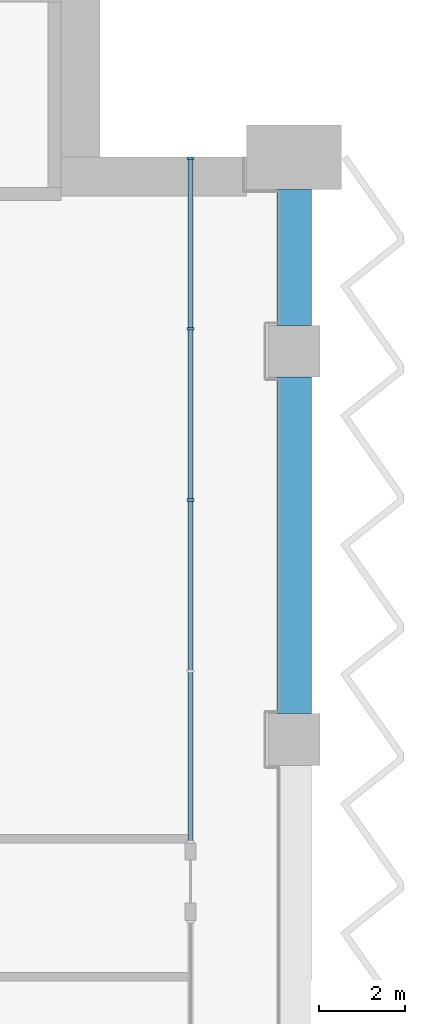
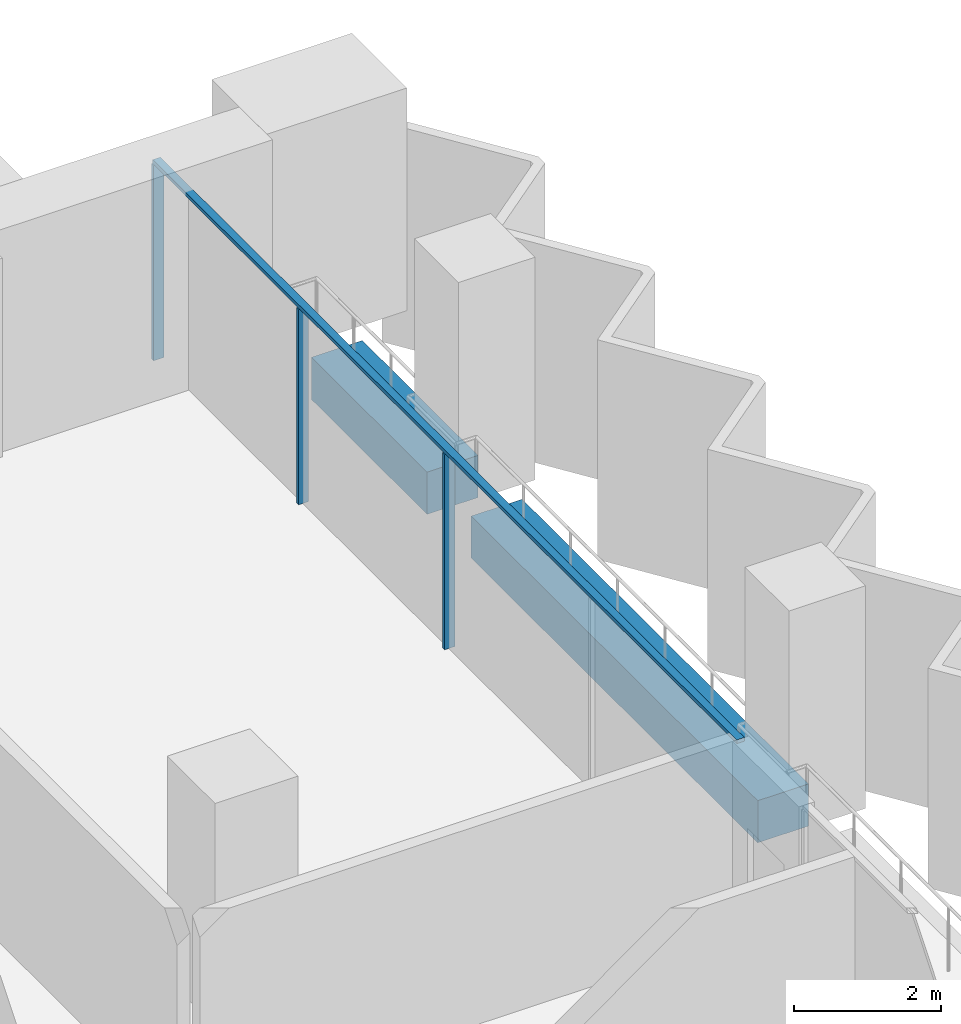
# One storey, part 6 of 23: 4 members, 2 beams, 1 element without a shape of its own.
"""IFC4 building model written with IfcOpenShell, lengths in metres."""

from ifc_helpers import new_model, si_unit, direction, frame, origin, origin_2d, place, context, subcontext, project, spatial, rectangle, extrude, material, material_profile, profile_set, type_object, element, aggregate, save


model = new_model("IFC4")

# Units and contexts
model_context = context("Model", 3, precision=1e-05, world=origin(), true_north=direction((0.0, 1.0)))
body_context = subcontext(model_context, "Body", "Model", "MODEL_VIEW")
ifc_project = project(units=[si_unit("LENGTHUNIT", "METRE"), si_unit("AREAUNIT", "SQUARE_METRE"), si_unit("VOLUMEUNIT", "CUBIC_METRE"), si_unit("PLANEANGLEUNIT", "RADIAN"), si_unit("MASSUNIT", "GRAM", prefix="KILO")], contexts=[model_context])

# Site, building, storey
site_placement = place(None, origin())
site = spatial("IfcSite", under=ifc_project, at=site_placement, CompositionType="ELEMENT")
building_placement = place(site_placement, origin())
building = spatial("IfcBuilding", under=site, at=building_placement, Name="Hunhe Ridgeline Campus", CompositionType="ELEMENT")
storey_placement = place(building_placement, frame((0.0, 0.0, 99.60009765625)))
storey = spatial("IfcBuildingStorey", under=building, at=storey_placement, Name="L24", CompositionType="ELEMENT", Elevation=99.60009765625)

# Curtain wall, members
ifc_material_1 = material(Name="Aluminium 6063", Category="aluminium")
curtain_wall_type = type_object("IfcCurtainWallType", Name="Curtain wall CW-1", PredefinedType="NOTDEFINED", material=ifc_material_1)
curtain_wall_placement = place(storey_placement, origin())
curtain_wall = element("IfcCurtainWall", 1, at=curtain_wall_placement, inside=storey, type_object=curtain_wall_type, Name="Curtain wall 15", PredefinedType="NOTDEFINED")
ifc_material_profile_1 = material_profile(ifc_material_1, rectangle(XDim=0.159912109375, YDim=0.06005859375, at=origin_2d()))
ifc_profile_set_1 = profile_set([ifc_material_profile_1], Name="Aluminium 6063")
member_type_1 = type_object("IfcMemberType", Name="CW-1 aluminium mullion", PredefinedType="MULLION", material=ifc_profile_set_1)
member_1_placement = place(storey_placement, frame((78.59912109375, 86.55029296875, 0.0), z_axis=(0.0, 0.0, 1.0), x_axis=(-1.0, 0.0, 0.0)))
member_1 = element("IfcMember", 2, at=member_1_placement, type_object=member_type_1, Name="CW-1 mullion 3", PredefinedType="MULLION", context=body_context, shape_type="SweptSolid", body=[
    extrude(rectangle(XDim=0.159912109375, YDim=0.06005859375, at=origin_2d()), origin(), (0.0, 0.0, 1.0), 3.239990234375),
])
member_2_placement = place(storey_placement, frame((78.59912109375, 90.525146484375, 0.0), z_axis=(0.0, 0.0, 1.0), x_axis=(-1.0, 0.0, 0.0)))
member_2 = element("IfcMember", 3, at=member_2_placement, type_object=member_type_1, Name="CW-1 mullion 4", PredefinedType="MULLION", context=body_context, shape_type="SweptSolid", body=[
    extrude(rectangle(XDim=0.159912109375, YDim=0.06005859375, at=origin_2d()), origin(), (0.0, 0.0, 1.0), 3.239990234375),
])
member_3_placement = place(storey_placement, frame((78.59912109375, 94.469970703125, 0.0), z_axis=(0.0, 0.0, 1.0), x_axis=(-1.0, 0.0, 0.0)))
member_3 = element("IfcMember", 4, at=member_3_placement, type_object=member_type_1, Name="CW-1 mullion 5", PredefinedType="MULLION", context=body_context, shape_type="SweptSolid", body=[
    extrude(rectangle(XDim=0.159912109375, YDim=0.06005859375, at=origin_2d()), origin(), (0.0, 0.0, 1.0), 3.239990234375),
])
ifc_material_profile_2 = material_profile(ifc_material_1, rectangle(XDim=0.1201171875, YDim=0.06005859375, at=origin_2d()))
ifc_profile_set_2 = profile_set([ifc_material_profile_2], Name="Aluminium 6063")
member_type_2 = type_object("IfcMemberType", Name="CW-1 aluminium transom", PredefinedType="USERDEFINED", material=ifc_profile_set_2)
member_4_placement = place(storey_placement, frame((78.59912109375, 78.6005859375, 3.27001953125), z_axis=(0.0, 1.0, 0.0), x_axis=(-1.0, 0.0, 0.0)))
member_4 = element("IfcMember", 5, at=member_4_placement, type_object=member_type_2, Name="CW-1 transom 1", ObjectType="TRANSOM", PredefinedType="USERDEFINED", context=body_context, shape_type="SweptSolid", body=[
    extrude(rectangle(XDim=0.1201171875, YDim=0.06005859375, at=origin_2d()), origin(), (0.0, 0.0, 1.0), 15.8994140625),
])
aggregate(curtain_wall, [member_4, member_1, member_2, member_3])

# Beams
ifc_material_2 = material(Name="Concrete C60", Category="concrete")
ifc_material_profile_3 = material_profile(ifc_material_2, rectangle(XDim=0.800048828125, YDim=0.699951171875, at=origin_2d()))
ifc_profile_set_3 = profile_set([ifc_material_profile_3], Name="Concrete C60")
beam_type = type_object("IfcBeamType", Name="RC spandrel beam 800x700 Concrete C60", PredefinedType="SPANDREL", material=ifc_profile_set_3)
beam_1_placement = place(storey_placement, frame((81.0, 81.60009765625, -0.60009765625), z_axis=(0.0, 1.0, 0.0), x_axis=(-1.0, 0.0, 0.0)))
element("IfcBeam", 6, at=beam_1_placement, inside=storey, type_object=beam_type, Name="Spandrel beam B1-21 L24", PredefinedType="SPANDREL", context=body_context, shape_type="SweptSolid", body=[
    extrude(rectangle(XDim=0.800048828125, YDim=0.699951171875, at=origin_2d()), origin(), (0.0, 0.0, 1.0), 7.7998046875),
])
beam_2_placement = place(storey_placement, frame((81.0, 90.60009765625, -0.60009765625), z_axis=(0.0, 1.0, 0.0), x_axis=(-1.0, 0.0, 0.0)))
element("IfcBeam", 7, at=beam_2_placement, inside=storey, type_object=beam_type, Name="Spandrel beam B1-22 L24", PredefinedType="SPANDREL", context=body_context, shape_type="SweptSolid", body=[
    extrude(rectangle(XDim=0.800048828125, YDim=0.699951171875, at=origin_2d()), origin(), (0.0, 0.0, 1.0), 3.14990234375),
])

save(model, "model.ifc")
